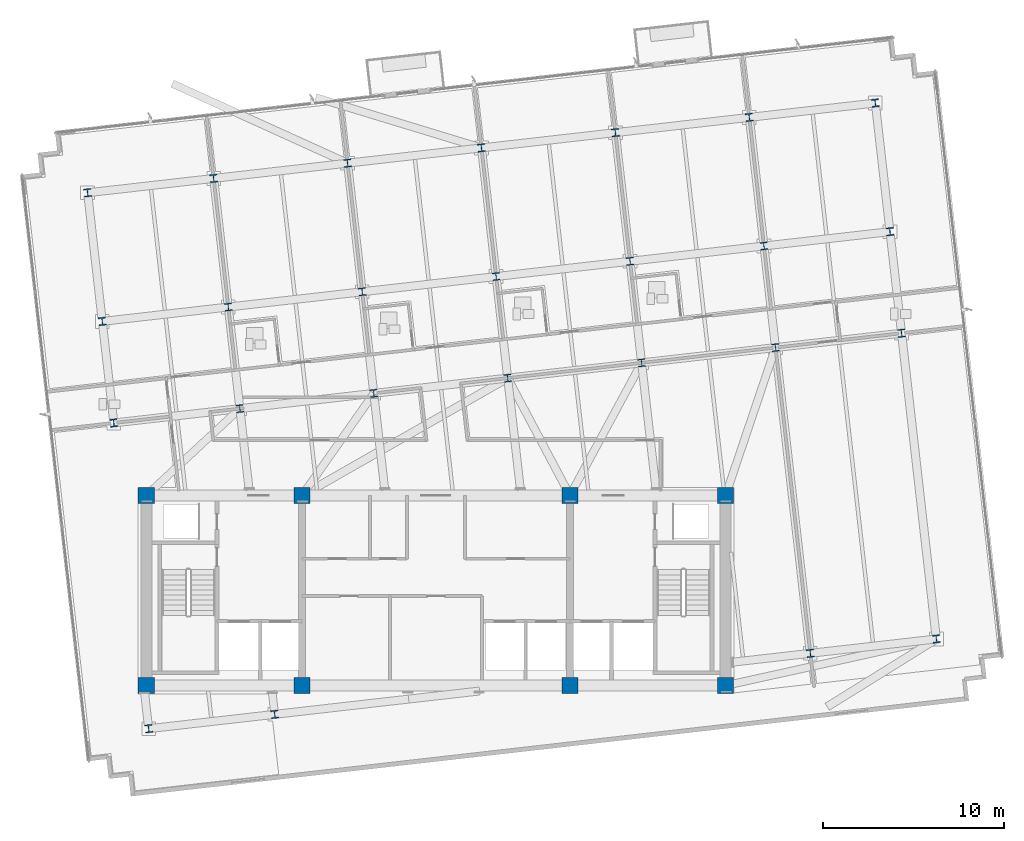
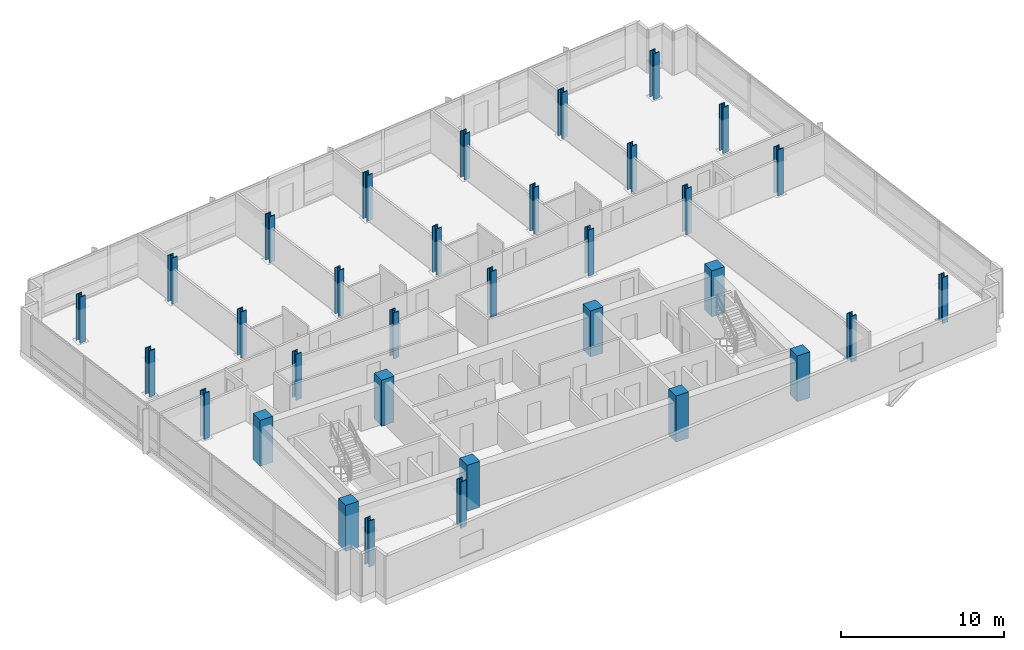
# One storey, part 1 of 15: 33 columns.
"""IFC4 building model written with IfcOpenShell, lengths in metres."""

from ifc_helpers import new_model, si_unit, direction, frame, origin, origin_2d, place, context, subcontext, project, spatial, rectangle, i_section, extrude, material, material_profile, profile_set, type_object, element, save


model = new_model("IFC4")

# Units and contexts
model_context = context("Model", 3, precision=1e-05, world=origin(), true_north=direction((0.0, 1.0)))
body_context = subcontext(model_context, "Body", "Model", "MODEL_VIEW")
ifc_project = project(units=[si_unit("LENGTHUNIT", "METRE"), si_unit("AREAUNIT", "SQUARE_METRE"), si_unit("VOLUMEUNIT", "CUBIC_METRE"), si_unit("PLANEANGLEUNIT", "RADIAN"), si_unit("MASSUNIT", "GRAM", prefix="KILO")], contexts=[model_context])

# Site, building, storey
site_placement = place(None, origin())
site = spatial("IfcSite", under=ifc_project, at=site_placement, CompositionType="ELEMENT")
building_placement = place(site_placement, origin())
building = spatial("IfcBuilding", under=site, at=building_placement, Name="Solmavex Isthmus Hotel", CompositionType="ELEMENT")
storey_placement = place(building_placement, frame((0.0, 0.0, 191.699951171875)))
storey = spatial("IfcBuildingStorey", under=building, at=storey_placement, Name="L51", CompositionType="ELEMENT", Elevation=191.699951171875)

# Columns
ifc_material_1 = material(Name="Concrete C50/60", Category="concrete")
ifc_material_profile_1 = material_profile(ifc_material_1, rectangle(XDim=0.89990234375, YDim=0.89990234375, at=origin_2d()), Name="RC900X900")
ifc_profile_set_1 = profile_set([ifc_material_profile_1], Name="Concrete C50/60")
column_type_1 = type_object("IfcColumnType", Name="COL-CC-900", PredefinedType="COLUMN", material=ifc_profile_set_1)
for number, where, z_axis, x_axis, name in (
    (1, (-16.0, -13.0, 0.0), (0.0, 0.0, 1.0), (1.0, 0.0, 0.0), "Core Pilaster CC-SW L51"),
    (2, (-7.39990234375, -13.0, 0.0), (0.0, 0.0, 1.0), (1.0, 0.0, 0.0), "Core Pilaster CC-S1 L51"),
    (3, (7.39990234375, -13.0, 0.0), (0.0, 0.0, 1.0), (1.0, 0.0, 0.0), "Core Pilaster CC-S2 L51"),
    (4, (16.0, -13.0, 0.0), (0.0, 0.0, 1.0), (1.0, 0.0, 0.0), "Core Pilaster CC-SE L51"),
    (5, (-16.0, -2.5, 0.0), (0.0, 0.0, 1.0), (1.0, 0.0, 0.0), "Core Pilaster CC-NW L51"),
    (6, (-7.39990234375, -2.5, 0.0), (0.0, 0.0, 1.0), (1.0, 0.0, 0.0), "Core Pilaster CC-N1 L51"),
    (7, (7.39990234375, -2.5, 0.0), (0.0, 0.0, 1.0), (1.0, 0.0, 0.0), "Core Pilaster CC-N2 L51"),
    (8, (16.0, -2.5, 0.0), (0.0, 0.0, 1.0), (1.0, 0.0, 0.0), "Core Pilaster CC-NE L51"),
):
    element("IfcColumn", number, at=place(storey_placement, frame(where, z_axis=z_axis, x_axis=x_axis)), inside=storey, type_object=column_type_1, Name=name, PredefinedType="COLUMN", context=body_context, shape_type="SweptSolid", body=[
        extrude(rectangle(XDim=0.89990234375, YDim=0.89990234375, at=origin_2d()), origin(), (0.0, 0.0, 1.0), 3.449951171875),
    ])
ifc_material_2 = material(Name="Steel ASTM A913 Grade 65", Category="steel")
ifc_material_profile_2 = material_profile(ifc_material_2, i_section(OverallWidth=0.412109375, OverallDepth=0.434814453125, WebThickness=0.035888671875, FlangeThickness=0.057373046875, FilletRadius=0.030517578125, at=origin_2d()), Name="W14X311")
ifc_profile_set_2 = profile_set([ifc_material_profile_2], Name="Steel ASTM A913 Grade 65")
column_type_2 = type_object("IfcColumnType", Name="COL-SC-W14X311", PredefinedType="COLUMN", material=ifc_profile_set_2)
for number, where, z_axis, x_axis, name in (
    (9, (-10.833984375, 2.30078125, 0.0), (0.0, 0.0, 1.0), (0.993571855677, 0.113203213768, 0.0), "Tower Column B4-U2V2 L51"),
    (10, (-11.473388671875, 7.912353515625, 0.0), (0.0, 0.0, 1.0), (0.993571855677, 0.113203213768, 0.0), "Tower Column B4-U2V3 L51"),
    (11, (-3.435791015625, 3.1435546875, 0.0), (0.0, 0.0, 1.0), (0.993571855677, 0.113203213768, 0.0), "Tower Column B4-U3V2 L51"),
    (12, (-4.0751953125, 8.75537109375, 0.0), (0.0, 0.0, 1.0), (0.993571855677, 0.113203213768, 0.0), "Tower Column B4-U3V3 L51"),
    (13, (3.962158203125, 3.986572265625, 0.0), (0.0, 0.0, 1.0), (0.993571855677, 0.113203213768, 0.0), "Tower Column B4-U4V2 L51"),
    (14, (3.322998046875, 9.59814453125, 0.0), (0.0, 0.0, 1.0), (0.993571855677, 0.113203213768, 0.0), "Tower Column B4-U4V3 L51"),
    (15, (11.3603515625, 4.829345703125, 0.0), (0.0, 0.0, 1.0), (0.993571855677, 0.113203213768, 0.0), "Tower Column B4-U5V2 L51"),
    (16, (10.720947265625, 10.441162109375, 0.0), (0.0, 0.0, 1.0), (0.993571855677, 0.113203213768, 0.0), "Tower Column B4-U5V3 L51"),
    (17, (18.758544921875, 5.67236328125, 0.0), (0.0, 0.0, 1.0), (0.993571855677, 0.113203213768, 0.0), "Tower Column B4-U6V2 L51"),
    (18, (18.119140625, 11.283935546875, 0.0), (0.0, 0.0, 1.0), (0.993571855677, 0.113203213768, 0.0), "Tower Column B4-U6V3 L51"),
):
    element("IfcColumn", number, at=place(storey_placement, frame(where, z_axis=z_axis, x_axis=x_axis)), inside=storey, type_object=column_type_2, Name=name, PredefinedType="COLUMN", context=body_context, shape_type="SweptSolid", body=[
        extrude(i_section(OverallWidth=0.412109375, OverallDepth=0.434814453125, WebThickness=0.035888671875, FlangeThickness=0.057373046875, FilletRadius=0.030517578125, at=origin_2d()), origin(), (0.0, 0.0, 1.0), 3.449951171875),
    ])
ifc_material_profile_3 = material_profile(ifc_material_2, i_section(OverallWidth=0.41845703125, OverallDepth=0.455078125, WebThickness=0.0419921875, FlangeThickness=0.067626953125, FilletRadius=0.030517578125, at=origin_2d()), Name="W14X370")
ifc_profile_set_3 = profile_set([ifc_material_profile_3], Name="Steel ASTM A913 Grade 65")
column_type_3 = type_object("IfcColumnType", Name="COL-SC-W14X370", PredefinedType="COLUMN", material=ifc_profile_set_3)
for number, where, z_axis, x_axis, name in (
    (19, (-15.87255859375, -15.38330078125, 0.0), (0.0, 0.0, 1.0), (0.993571855677, 0.113203213768, 0.0), "Tower Column B4-U1V1 L51"),
    (20, (-17.796875, 1.50732421875, 0.0), (0.0, 0.0, 1.0), (0.993571855677, 0.113203213768, 0.0), "Tower Column B4-U1V2 L51"),
    (21, (-18.436279296875, 7.119140625, 0.0), (0.0, 0.0, 1.0), (0.993571855677, 0.113203213768, 0.0), "Tower Column B4-U1V3 L51"),
    (22, (-19.245849609375, 14.22509765625, 0.0), (0.0, 0.0, 1.0), (0.993571855677, 0.113203213768, 0.0), "Tower Column B4-U1V4 L51"),
    (23, (-8.909423828125, -14.590087890625, 0.0), (0.0, 0.0, 1.0), (0.993571855677, 0.113203213768, 0.0), "Tower Column B4-U2V1 L51"),
    (24, (-12.282958984375, 15.018310546875, 0.0), (0.0, 0.0, 1.0), (0.993571855677, 0.113203213768, 0.0), "Tower Column B4-U2V4 L51"),
    (25, (-4.884765625, 15.861328125, 0.0), (0.0, 0.0, 1.0), (0.993571855677, 0.113203213768, 0.0), "Tower Column B4-U3V4 L51"),
    (26, (2.51318359375, 16.7041015625, 0.0), (0.0, 0.0, 1.0), (0.993571855677, 0.113203213768, 0.0), "Tower Column B4-U4V4 L51"),
    (27, (9.911376953125, 17.547119140625, 0.0), (0.0, 0.0, 1.0), (0.993571855677, 0.113203213768, 0.0), "Tower Column B4-U5V4 L51"),
    (28, (20.68310546875, -11.218505859375, 0.0), (0.0, 0.0, 1.0), (0.993571855677, 0.113203213768, 0.0), "Tower Column B4-U6V1 L51"),
    (29, (17.3095703125, 18.39013671875, 0.0), (0.0, 0.0, 1.0), (0.993571855677, 0.113203213768, 0.0), "Tower Column B4-U6V4 L51"),
    (30, (27.64599609375, -10.425048828125, 0.0), (0.0, 0.0, 1.0), (0.993571855677, 0.113203213768, 0.0), "Tower Column B4-U7V1 L51"),
    (31, (25.721435546875, 6.465576171875, 0.0), (0.0, 0.0, 1.0), (0.993571855677, 0.113203213768, 0.0), "Tower Column B4-U7V2 L51"),
    (32, (25.08203125, 12.077392578125, 0.0), (0.0, 0.0, 1.0), (0.993571855677, 0.113203213768, 0.0), "Tower Column B4-U7V3 L51"),
    (33, (24.2724609375, 19.183349609375, 0.0), (0.0, 0.0, 1.0), (0.993571855677, 0.113203213768, 0.0), "Tower Column B4-U7V4 L51"),
):
    element("IfcColumn", number, at=place(storey_placement, frame(where, z_axis=z_axis, x_axis=x_axis)), inside=storey, type_object=column_type_3, Name=name, PredefinedType="COLUMN", context=body_context, shape_type="SweptSolid", body=[
        extrude(i_section(OverallWidth=0.41845703125, OverallDepth=0.455078125, WebThickness=0.0419921875, FlangeThickness=0.067626953125, FilletRadius=0.030517578125, at=origin_2d()), origin(), (0.0, 0.0, 1.0), 3.449951171875),
    ])

save(model, "model.ifc")
